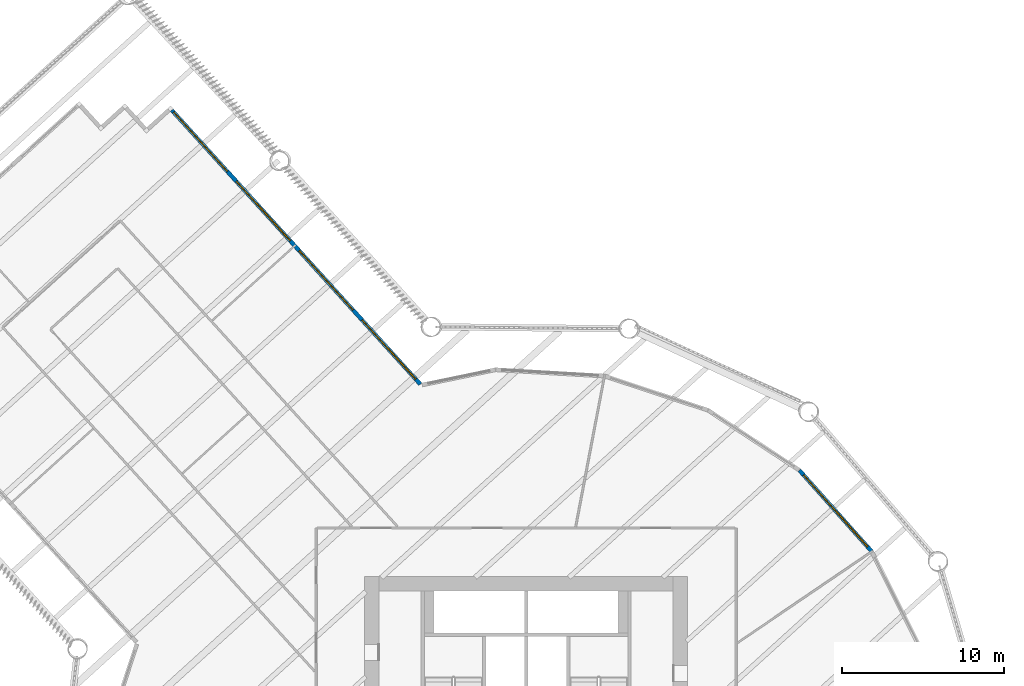
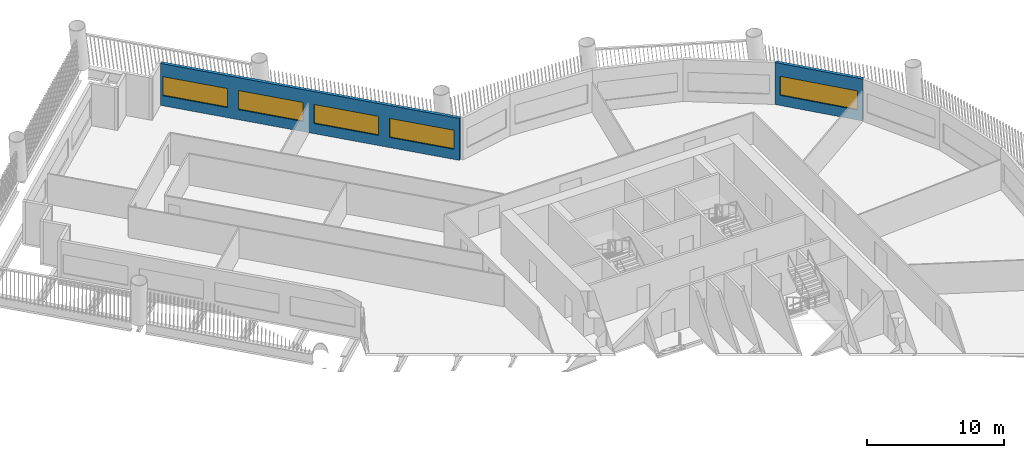
# One storey, part 7 of 15: 5 windows, 2 walls, 5 openings.
"""IFC4 building model written with IfcOpenShell, lengths in metres."""

from ifc_helpers import new_model, si_unit, direction, frame, frame_2d, origin, place, context, subcontext, project, spatial, rectangle, extrude, material, layer, layer_set, type_object, element, fill, save


model = new_model("IFC4")

# Units and contexts
model_context = context("Model", 3, precision=1e-05, world=origin(), true_north=direction((0.0, 1.0)))
body_context = subcontext(model_context, "Body", "Model", "MODEL_VIEW")
ifc_project = project(units=[si_unit("LENGTHUNIT", "METRE"), si_unit("AREAUNIT", "SQUARE_METRE"), si_unit("VOLUMEUNIT", "CUBIC_METRE"), si_unit("PLANEANGLEUNIT", "RADIAN"), si_unit("MASSUNIT", "GRAM", prefix="KILO")], contexts=[model_context])

# Site, building, storey
site_placement = place(None, origin())
site = spatial("IfcSite", under=ifc_project, at=site_placement, CompositionType="ELEMENT")
building_placement = place(site_placement, origin())
building = spatial("IfcBuilding", under=site, at=building_placement, Name="Tarsis Ring Headquarters", CompositionType="ELEMENT")
storey_placement = place(building_placement, frame((0.0, 0.0, 59.5)))
storey = spatial("IfcBuildingStorey", under=building, at=storey_placement, Name="L12", CompositionType="ELEMENT", Elevation=59.5)

# Wall, opening, window
ifc_material_1 = material(Name="Terracotta clad insulated panel wall", Category="masonry")
ifc_layer = layer(ifc_material_1, 0.25)
ifc_layer_set = layer_set([ifc_layer], Name="Facade wall terracotta panel 250")
wall_type = type_object("IfcWallType", Name="Facade wall terracotta panel 250", PredefinedType="STANDARD", material=ifc_layer_set)
wall_1_placement = place(storey_placement, frame((21.388916015625, 14.5556640625, 0.0), z_axis=(0.0, 0.0, 1.0), x_axis=(-0.66523586361, 0.746633273949, 0.0)))
wall_1 = element("IfcWall", 1, at=wall_1_placement, inside=storey, type_object=wall_type, Name="External wall L12-26", PredefinedType="STANDARD", context=body_context, shape_type="SweptSolid", body=[
    extrude(rectangle(XDim=6.7216796875, YDim=0.25, at=frame_2d((3.36083984375, 0.0))), origin(), (0.0, 0.0, 1.0), 3.739990234375),
])
opening_1_placement = place(wall_1_placement, frame((0.3857421875, 0.0, 0.89990234375)))
opening_1 = element("IfcOpeningElement", 2, at=opening_1_placement, cuts=wall_1, Name="Opening WN07", PredefinedType="OPENING", context=body_context, shape_type="SweptSolid", body=[
    extrude(rectangle(XDim=5.949951171875, YDim=1.699951171875, at=frame_2d((2.97509765625, 0.85009765625))), frame((0.0, 0.135009765625, 0.0), z_axis=(0.0, -1.0, 0.0), x_axis=(1.0, 0.0, 0.0)), (0.0, 0.0, 1.0), 0.27001953125),
])
ifc_material_2 = material(Name="Aluminium framed double glazing", Category="aluminium")
window_type_1 = type_object("IfcWindowType", Name="Facade window 5950 x 1700", PartitioningType="SINGLE_PANEL", PredefinedType="WINDOW", material=ifc_material_2)
window_1_placement = place(opening_1_placement, origin())
window_1 = element("IfcWindow", 3, at=window_1_placement, inside=storey, type_object=window_type_1, Name="Window L12-26.1", OverallHeight=1.699951171875, OverallWidth=5.949951171875, PartitioningType="SINGLE_PANEL", PredefinedType="WINDOW", context=body_context, shape_type="SweptSolid", body=[
    extrude(rectangle(XDim=5.949951171875, YDim=1.699951171875, at=frame_2d((2.97509765625, 0.85009765625))), frame((0.0, 0.030029296875, 0.0), z_axis=(0.0, -1.0, 0.0), x_axis=(1.0, 0.0, 0.0)), (0.0, 0.0, 1.0), 0.06005859375),
])
fill(opening_1, window_1)

# Wall, openings, windows
wall_2_placement = place(storey_placement, frame((-6.55078125, 24.903076171875, 0.0), z_axis=(0.0, 0.0, 1.0), x_axis=(-0.671722436206, 0.740802921631, 0.0)))
wall_2 = element("IfcWall", 4, at=wall_2_placement, inside=storey, type_object=wall_type, Name="External wall L12-31", PredefinedType="STANDARD", context=body_context, shape_type="SweptSolid", body=[
    extrude(rectangle(XDim=22.9013671875, YDim=0.25, at=frame_2d((11.45068359375, 0.0))), origin(), (0.0, 0.0, 1.0), 3.739990234375),
])
opening_2_placement = place(wall_2_placement, frame((0.4189453125, 0.0, 0.89990234375)))
opening_2 = element("IfcOpeningElement", 5, at=opening_2_placement, cuts=wall_2, Name="Opening WN05", PredefinedType="OPENING", context=body_context, shape_type="SweptSolid", body=[
    extrude(rectangle(XDim=4.949951171875, YDim=1.699951171875, at=frame_2d((2.47509765625, 0.85009765625))), frame((0.0, 0.135009765625, 0.0), z_axis=(0.0, -1.0, 0.0), x_axis=(1.0, 0.0, 0.0)), (0.0, 0.0, 1.0), 0.27001953125),
])
opening_3_placement = place(wall_2_placement, frame((6.206787109375, 0.0, 0.89990234375)))
opening_3 = element("IfcOpeningElement", 6, at=opening_3_placement, cuts=wall_2, Name="Opening WN05", PredefinedType="OPENING", context=body_context, shape_type="SweptSolid", body=[
    extrude(rectangle(XDim=4.949951171875, YDim=1.699951171875, at=frame_2d((2.47509765625, 0.85009765625))), frame((0.0, 0.135009765625, 0.0), z_axis=(0.0, -1.0, 0.0), x_axis=(1.0, 0.0, 0.0)), (0.0, 0.0, 1.0), 0.27001953125),
])
opening_4_placement = place(wall_2_placement, frame((11.99462890625, 0.0, 0.89990234375)))
opening_4 = element("IfcOpeningElement", 7, at=opening_4_placement, cuts=wall_2, Name="Opening WN05", PredefinedType="OPENING", context=body_context, shape_type="SweptSolid", body=[
    extrude(rectangle(XDim=4.949951171875, YDim=1.699951171875, at=frame_2d((2.47509765625, 0.85009765625))), frame((0.0, 0.135009765625, 0.0), z_axis=(0.0, -1.0, 0.0), x_axis=(1.0, 0.0, 0.0)), (0.0, 0.0, 1.0), 0.27001953125),
])
opening_5_placement = place(wall_2_placement, frame((17.782470703125, 0.0, 0.89990234375)))
opening_5 = element("IfcOpeningElement", 8, at=opening_5_placement, cuts=wall_2, Name="Opening WN05", PredefinedType="OPENING", context=body_context, shape_type="SweptSolid", body=[
    extrude(rectangle(XDim=4.949951171875, YDim=1.699951171875, at=frame_2d((2.47509765625, 0.85009765625))), frame((0.0, 0.135009765625, 0.0), z_axis=(0.0, -1.0, 0.0), x_axis=(1.0, 0.0, 0.0)), (0.0, 0.0, 1.0), 0.27001953125),
])
window_type_2 = type_object("IfcWindowType", Name="Facade window 4950 x 1700", PartitioningType="SINGLE_PANEL", PredefinedType="WINDOW", material=ifc_material_2)
window_2_placement = place(opening_2_placement, origin())
window_2 = element("IfcWindow", 9, at=window_2_placement, inside=storey, type_object=window_type_2, Name="Window L12-31.1", OverallHeight=1.699951171875, OverallWidth=4.949951171875, PartitioningType="SINGLE_PANEL", PredefinedType="WINDOW", context=body_context, shape_type="SweptSolid", body=[
    extrude(rectangle(XDim=4.949951171875, YDim=1.699951171875, at=frame_2d((2.47509765625, 0.85009765625))), frame((0.0, 0.030029296875, 0.0), z_axis=(0.0, -1.0, 0.0), x_axis=(1.0, 0.0, 0.0)), (0.0, 0.0, 1.0), 0.06005859375),
])
fill(opening_2, window_2)
window_3_placement = place(opening_3_placement, origin())
window_3 = element("IfcWindow", 10, at=window_3_placement, inside=storey, type_object=window_type_2, Name="Window L12-31.2", OverallHeight=1.699951171875, OverallWidth=4.949951171875, PartitioningType="SINGLE_PANEL", PredefinedType="WINDOW", context=body_context, shape_type="SweptSolid", body=[
    extrude(rectangle(XDim=4.949951171875, YDim=1.699951171875, at=frame_2d((2.47509765625, 0.85009765625))), frame((0.0, 0.030029296875, 0.0), z_axis=(0.0, -1.0, 0.0), x_axis=(1.0, 0.0, 0.0)), (0.0, 0.0, 1.0), 0.06005859375),
])
fill(opening_3, window_3)
window_4_placement = place(opening_4_placement, origin())
window_4 = element("IfcWindow", 11, at=window_4_placement, inside=storey, type_object=window_type_2, Name="Window L12-31.3", OverallHeight=1.699951171875, OverallWidth=4.949951171875, PartitioningType="SINGLE_PANEL", PredefinedType="WINDOW", context=body_context, shape_type="SweptSolid", body=[
    extrude(rectangle(XDim=4.949951171875, YDim=1.699951171875, at=frame_2d((2.47509765625, 0.85009765625))), frame((0.0, 0.030029296875, 0.0), z_axis=(0.0, -1.0, 0.0), x_axis=(1.0, 0.0, 0.0)), (0.0, 0.0, 1.0), 0.06005859375),
])
fill(opening_4, window_4)
window_5_placement = place(opening_5_placement, origin())
window_5 = element("IfcWindow", 12, at=window_5_placement, inside=storey, type_object=window_type_2, Name="Window L12-31.4", OverallHeight=1.699951171875, OverallWidth=4.949951171875, PartitioningType="SINGLE_PANEL", PredefinedType="WINDOW", context=body_context, shape_type="SweptSolid", body=[
    extrude(rectangle(XDim=4.949951171875, YDim=1.699951171875, at=frame_2d((2.47509765625, 0.85009765625))), frame((0.0, 0.030029296875, 0.0), z_axis=(0.0, -1.0, 0.0), x_axis=(1.0, 0.0, 0.0)), (0.0, 0.0, 1.0), 0.06005859375),
])
fill(opening_5, window_5)

save(model, "model.ifc")
